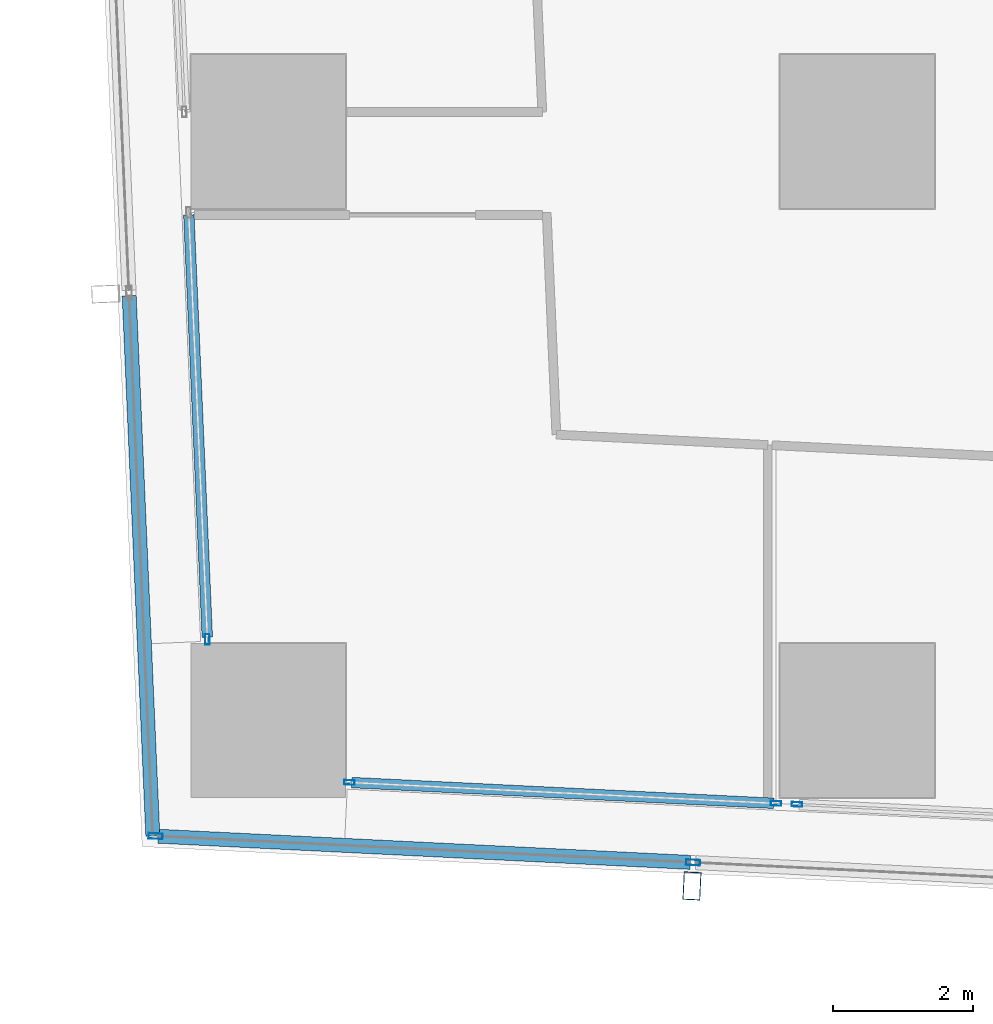
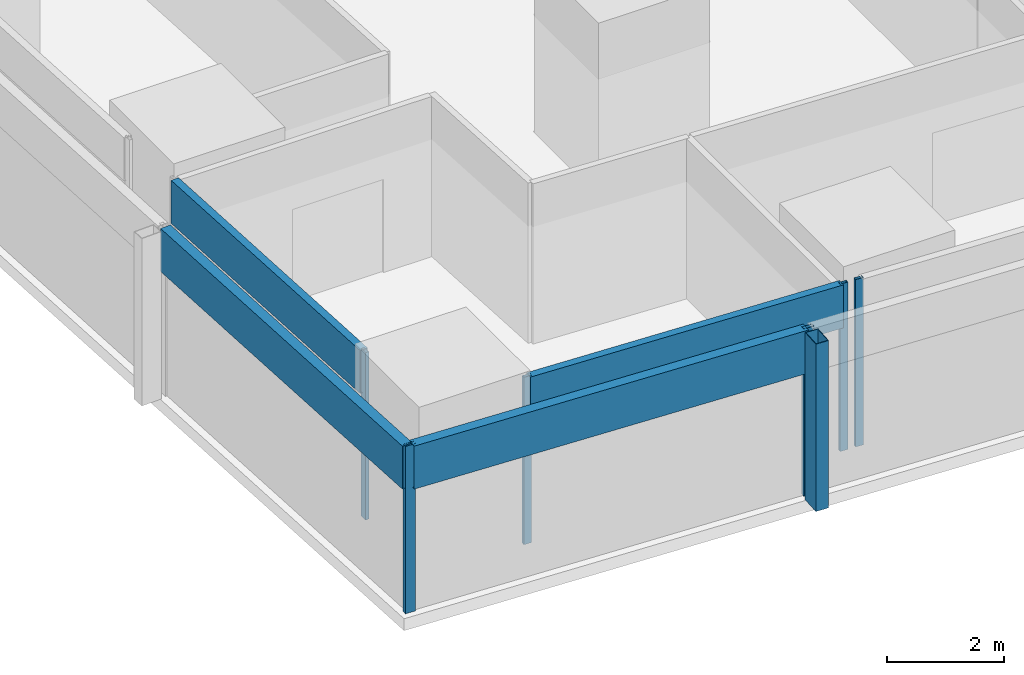
# One storey, part 2 of 44: 11 members, 5 elements without a shape of their own.
"""IFC4 building model written with IfcOpenShell, lengths in metres."""

from ifc_helpers import new_model, si_unit, direction, frame, origin, origin_2d, place, context, subcontext, project, spatial, hollow_rectangle, extrude, material, material_profile, profile_set, type_object, element, aggregate, save


model = new_model("IFC4")

# Units and contexts
model_context = context("Model", 3, precision=1e-05, world=origin(), true_north=direction((0.0, 1.0)))
body_context = subcontext(model_context, "Body", "Model", "MODEL_VIEW")
ifc_project = project(units=[si_unit("LENGTHUNIT", "METRE"), si_unit("AREAUNIT", "SQUARE_METRE"), si_unit("VOLUMEUNIT", "CUBIC_METRE"), si_unit("PLANEANGLEUNIT", "RADIAN"), si_unit("MASSUNIT", "GRAM", prefix="KILO")], contexts=[model_context])

# Site, building, storey
site_placement = place(None, origin())
site = spatial("IfcSite", under=ifc_project, at=site_placement, CompositionType="ELEMENT")
building_placement = place(site_placement, origin())
building = spatial("IfcBuilding", under=site, at=building_placement, Name="Rekha Terrace Tower", CompositionType="ELEMENT")
storey_placement = place(building_placement, frame((0.0, 0.0, 59.14990234375)))
storey = spatial("IfcBuildingStorey", under=building, at=storey_placement, Name="L14", CompositionType="ELEMENT", Elevation=59.14990234375)

# Curtain wall, member
ifc_material_1 = material(Name="Aluminium framing", Category="aluminium")
curtain_wall_type_1 = type_object("IfcCurtainWallType", Name="CW2 double skin outer glazing", PredefinedType="USERDEFINED", material=ifc_material_1)
curtain_wall_1_placement = place(storey_placement, origin())
curtain_wall_1 = element("IfcCurtainWall", 1, at=curtain_wall_1_placement, inside=storey, type_object=curtain_wall_type_1, Name="CW2 double skin outer glazing", ObjectType="DOUBLE SKIN OUTER GLAZING", PredefinedType="USERDEFINED")
ifc_material_2 = material(Name="Steel S355 with fluorocarbon finish", Category="steel")
ifc_material_profile_1 = material_profile(ifc_material_2, hollow_rectangle(XDim=0.25, YDim=0.39990234375, WallThickness=0.012451171875, at=origin_2d()), Name="RHS400x250x12.5")
ifc_profile_set_1 = profile_set([ifc_material_profile_1], Name="Steel S355 with fluorocarbon finish")
member_type_1 = type_object("IfcMemberType", Name="BL1 facade blade RHS 400 x 250", PredefinedType="USERDEFINED", material=ifc_profile_set_1)
member_1_placement = place(storey_placement, frame((14.443603515625, 6.03955078125, 0.0), z_axis=(0.0, 0.0, 1.0), x_axis=(0.998796226835, -0.049051985279, 0.0)))
member_1 = element("IfcMember", 2, at=member_1_placement, type_object=member_type_1, Name="Facade blade", ObjectType="FACADE BLADE", PredefinedType="USERDEFINED", context=body_context, shape_type="SweptSolid", body=[
    extrude(hollow_rectangle(XDim=0.25, YDim=0.39990234375, WallThickness=0.012451171875, at=origin_2d()), origin(), (0.0, 0.0, 1.0), 3.5),
])

# Curtain wall, members
curtain_wall_type_2 = type_object("IfcCurtainWallType", Name="CW1 double skin inner glazing", PredefinedType="USERDEFINED", material=ifc_material_1)
curtain_wall_2_placement = place(storey_placement, origin())
curtain_wall_2 = element("IfcCurtainWall", 3, at=curtain_wall_2_placement, inside=storey, type_object=curtain_wall_type_2, Name="CW1 double skin inner glazing", ObjectType="DOUBLE SKIN INNER GLAZING", PredefinedType="USERDEFINED")
ifc_material_3 = material(Name="Aluminium mullion section", Category="aluminium")
ifc_material_profile_2 = material_profile(ifc_material_3, hollow_rectangle(XDim=0.06494140625, YDim=0.14990234375, WallThickness=0.00390625, at=origin_2d()), Name="AL RHS 65x150")
ifc_profile_set_2 = profile_set([ifc_material_profile_2], Name="Aluminium mullion section")
member_type_2 = type_object("IfcMemberType", Name="CW1 mullion RHS 65 x 150", PredefinedType="MULLION", material=ifc_profile_set_2)
member_2_placement = place(storey_placement, frame((9.55712890625, 7.51611328125, 0.0), z_axis=(0.0, 0.0, 1.0), x_axis=(0.049051717693, 0.998796239977, 0.0)))
member_2 = element("IfcMember", 4, at=member_2_placement, type_object=member_type_2, Name="CW1 mullion 1", PredefinedType="MULLION", context=body_context, shape_type="SweptSolid", body=[
    extrude(hollow_rectangle(XDim=0.06494140625, YDim=0.14990234375, WallThickness=0.00390625, at=origin_2d()), origin(), (0.0, 0.0, 1.0), 3.5),
])
member_3_placement = place(storey_placement, frame((15.642822265625, 7.21728515625, 0.0), z_axis=(0.0, 0.0, 1.0), x_axis=(0.049051717693, 0.998796239977, 0.0)))
member_3 = element("IfcMember", 5, at=member_3_placement, type_object=member_type_2, Name="CW1 mullion 2", PredefinedType="MULLION", context=body_context, shape_type="SweptSolid", body=[
    extrude(hollow_rectangle(XDim=0.06494140625, YDim=0.14990234375, WallThickness=0.00390625, at=origin_2d()), origin(), (0.0, 0.0, 1.0), 3.5),
])

# Curtain wall, member
curtain_wall_3_placement = place(storey_placement, origin())
curtain_wall_3 = element("IfcCurtainWall", 6, at=curtain_wall_3_placement, inside=storey, type_object=curtain_wall_type_2, Name="CW1 double skin inner glazing", ObjectType="DOUBLE SKIN INNER GLAZING", PredefinedType="USERDEFINED")
member_4_placement = place(storey_placement, frame((15.94091796875, 7.20263671875, 0.0), z_axis=(0.0, 0.0, 1.0), x_axis=(0.049051717746, 0.998796239974, 0.0)))
member_4 = element("IfcMember", 7, at=member_4_placement, type_object=member_type_2, Name="CW1 mullion 1", PredefinedType="MULLION", context=body_context, shape_type="SweptSolid", body=[
    extrude(hollow_rectangle(XDim=0.06494140625, YDim=0.14990234375, WallThickness=0.00390625, at=origin_2d()), origin(), (0.0, 0.0, 1.0), 3.5),
])
aggregate(curtain_wall_3, [member_4])

curtain_wall_4_placement = place(storey_placement, origin())
curtain_wall_4 = element("IfcCurtainWall", 8, at=curtain_wall_4_placement, inside=storey, type_object=curtain_wall_type_2, Name="CW1 double skin inner glazing", ObjectType="DOUBLE SKIN INNER GLAZING", PredefinedType="USERDEFINED")
member_5_placement = place(storey_placement, frame((7.53173828125, 9.556640625, 0.0), z_axis=(0.0, 0.0, 1.0), x_axis=(0.999045462129, 0.043682543424, 0.0)))
member_5 = element("IfcMember", 9, at=member_5_placement, type_object=member_type_2, Name="CW1 mullion 2", PredefinedType="MULLION", context=body_context, shape_type="SweptSolid", body=[
    extrude(hollow_rectangle(XDim=0.06494140625, YDim=0.14990234375, WallThickness=0.00390625, at=origin_2d()), origin(), (0.0, 0.0, 1.0), 3.5),
])

# Member
ifc_material_4 = material(Name="Insulated aluminium spandrel box", Category="aluminium")
ifc_material_profile_3 = material_profile(ifc_material_4, hollow_rectangle(XDim=0.14990234375, YDim=0.89990234375, WallThickness=0.0029296875, at=origin_2d()), Name="AL SPANDREL BOX 150x900")
ifc_profile_set_3 = profile_set([ifc_material_profile_3], Name="Insulated aluminium spandrel box")
member_type_3 = type_object("IfcMemberType", Name="CW1 spandrel transom 150 x 900", PredefinedType="USERDEFINED", material=ifc_profile_set_3)
member_6_placement = place(storey_placement, frame((9.589599609375, 7.514404296875, 3.050048828125), z_axis=(0.99879648266, -0.049046775901, 0.0), x_axis=(0.049046775901, 0.99879648266, 0.0)))
member_6 = element("IfcMember", 10, at=member_6_placement, type_object=member_type_3, Name="CW1 spandrel transom 1", ObjectType="TRANSOM", PredefinedType="USERDEFINED", context=body_context, shape_type="SweptSolid", body=[
    extrude(hollow_rectangle(XDim=0.14990234375, YDim=0.89990234375, WallThickness=0.0029296875, at=origin_2d()), origin(), (0.0, 0.0, 1.0), 6.028076171875),
])

aggregate(curtain_wall_2, [member_2, member_3, member_6])

member_7_placement = place(storey_placement, frame((7.26708984375, 15.61083984375, 3.050048828125), z_axis=(0.043663972565, -0.999046273953, 0.0), x_axis=(0.999046273953, 0.043663972565, 0.0)))
member_7 = element("IfcMember", 11, at=member_7_placement, type_object=member_type_3, Name="CW1 spandrel transom 1", ObjectType="TRANSOM", PredefinedType="USERDEFINED", context=body_context, shape_type="SweptSolid", body=[
    extrude(hollow_rectangle(XDim=0.14990234375, YDim=0.89990234375, WallThickness=0.0029296875, at=origin_2d()), origin(), (0.0, 0.0, 1.0), 6.027587890625),
])

aggregate(curtain_wall_4, [member_5, member_7])

ifc_material_profile_4 = material_profile(ifc_material_3, hollow_rectangle(XDim=0.080078125, YDim=0.199951171875, WallThickness=0.00390625, at=origin_2d()), Name="AL RHS 80x200")
ifc_profile_set_4 = profile_set([ifc_material_profile_4], Name="Aluminium mullion section")
member_type_4 = type_object("IfcMemberType", Name="CW2 mullion RHS 80 x 200", PredefinedType="MULLION", material=ifc_profile_set_4)
member_8_placement = place(storey_placement, frame((6.79345703125, 6.750732421875, 0.0), z_axis=(0.0, 0.0, 1.0), x_axis=(0.049051717746, 0.998796239974, 0.0)))
member_8 = element("IfcMember", 12, at=member_8_placement, type_object=member_type_4, Name="CW2 mullion 1", PredefinedType="MULLION", context=body_context, shape_type="SweptSolid", body=[
    extrude(hollow_rectangle(XDim=0.080078125, YDim=0.199951171875, WallThickness=0.00390625, at=origin_2d()), origin(), (0.0, 0.0, 1.0), 3.5),
])

member_9_placement = place(storey_placement, frame((14.4599609375, 6.374267578125, 0.0), z_axis=(0.0, 0.0, 1.0), x_axis=(0.049051717746, 0.998796239974, 0.0)))
member_9 = element("IfcMember", 13, at=member_9_placement, type_object=member_type_4, Name="CW2 mullion 2", PredefinedType="MULLION", context=body_context, shape_type="SweptSolid", body=[
    extrude(hollow_rectangle(XDim=0.080078125, YDim=0.199951171875, WallThickness=0.00390625, at=origin_2d()), origin(), (0.0, 0.0, 1.0), 3.5),
])

ifc_material_profile_5 = material_profile(ifc_material_4, hollow_rectangle(XDim=0.199951171875, YDim=0.89990234375, WallThickness=0.0029296875, at=origin_2d()), Name="AL SPANDREL BOX 200x900")
ifc_profile_set_5 = profile_set([ifc_material_profile_5], Name="Insulated aluminium spandrel box")
member_type_5 = type_object("IfcMemberType", Name="CW2 spandrel transom 200 x 900", PredefinedType="USERDEFINED", material=ifc_profile_set_5)
member_10_placement = place(storey_placement, frame((6.83349609375, 6.748779296875, 3.050048828125), z_axis=(0.99879635036, -0.049049469996, 0.0), x_axis=(0.049049469996, 0.99879635036, 0.0)))
member_10 = element("IfcMember", 14, at=member_10_placement, type_object=member_type_5, Name="CW2 spandrel transom 1", ObjectType="TRANSOM", PredefinedType="USERDEFINED", context=body_context, shape_type="SweptSolid", body=[
    extrude(hollow_rectangle(XDim=0.199951171875, YDim=0.89990234375, WallThickness=0.0029296875, at=origin_2d()), origin(), (0.0, 0.0, 1.0), 7.595458984375),
])

aggregate(curtain_wall_1, [member_8, member_9, member_10, member_1])

# Curtain wall, member
curtain_wall_5_placement = place(storey_placement, origin())
curtain_wall_5 = element("IfcCurtainWall", 15, at=curtain_wall_5_placement, inside=storey, type_object=curtain_wall_type_1, Name="CW2 double skin outer glazing", ObjectType="DOUBLE SKIN OUTER GLAZING", PredefinedType="USERDEFINED")
member_11_placement = place(storey_placement, frame((6.41650390625, 14.45703125, 3.050048828125), z_axis=(0.043688638652, -0.999045195601, 0.0), x_axis=(0.999045195601, 0.043688638652, 0.0)))
member_11 = element("IfcMember", 16, at=member_11_placement, type_object=member_type_5, Name="CW2 spandrel transom 5", ObjectType="TRANSOM", PredefinedType="USERDEFINED", context=body_context, shape_type="SweptSolid", body=[
    extrude(hollow_rectangle(XDim=0.199951171875, YDim=0.89990234375, WallThickness=0.0029296875, at=origin_2d()), origin(), (0.0, 0.0, 1.0), 7.711669921875),
])
aggregate(curtain_wall_5, [member_11])

save(model, "model.ifc")
